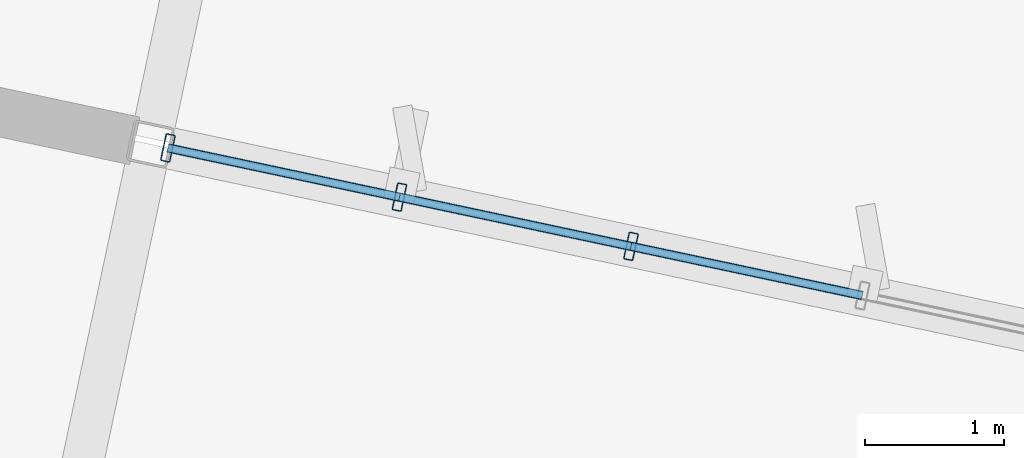
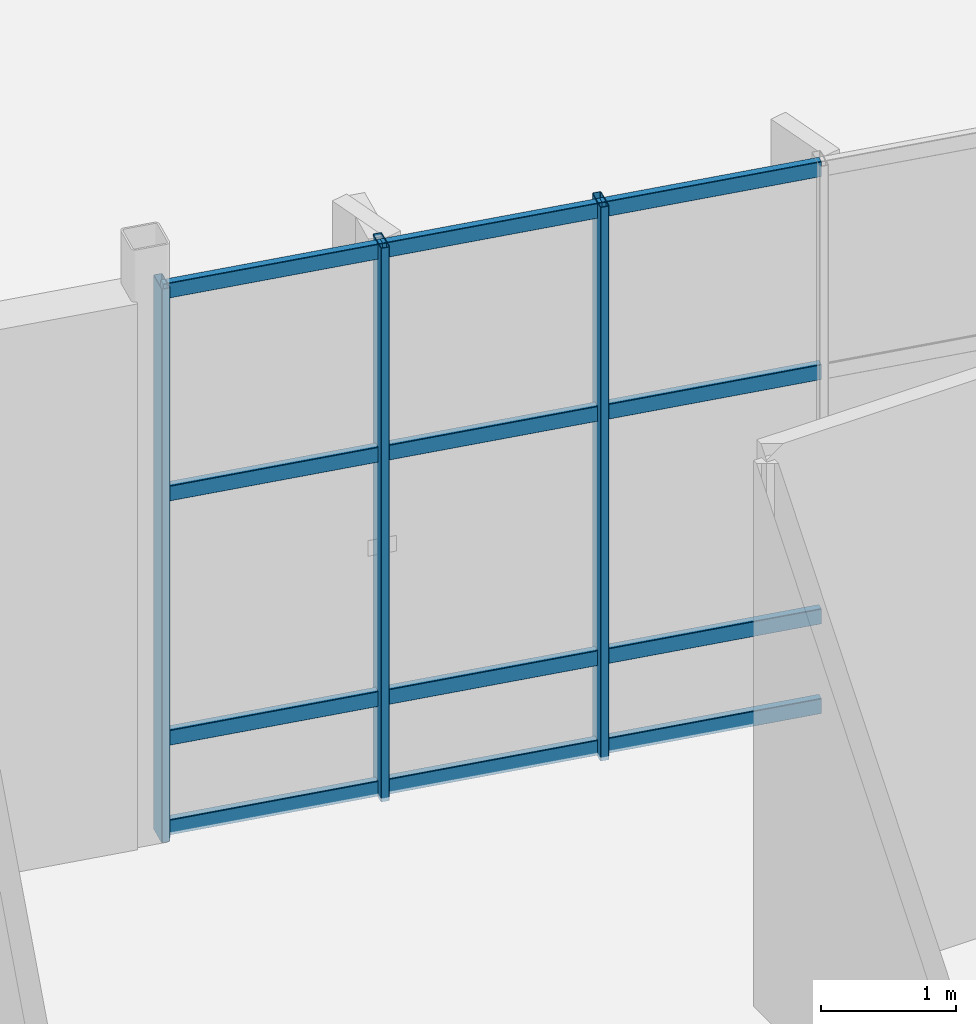
# One storey, part 39 of 176: 15 members, 1 element without a shape of its own.
"""IFC4 building model written with IfcOpenShell, lengths in metres."""

from ifc_helpers import new_model, si_unit, direction, frame, origin, origin_2d, place, context, subcontext, project, spatial, hollow_rectangle, extrude, material, layer, layer_set, material_profile, profile_set, type_object, element, aggregate, save


model = new_model("IFC4")

# Units and contexts
model_context = context("Model", 3, precision=1e-05, world=origin(), true_north=direction((0.0, 1.0)))
body_context = subcontext(model_context, "Body", "Model", "MODEL_VIEW")
ifc_project = project(units=[si_unit("LENGTHUNIT", "METRE"), si_unit("AREAUNIT", "SQUARE_METRE"), si_unit("VOLUMEUNIT", "CUBIC_METRE"), si_unit("PLANEANGLEUNIT", "RADIAN"), si_unit("MASSUNIT", "GRAM", prefix="KILO")], contexts=[model_context])

# Site, building, storey
site_placement = place(None, origin())
site = spatial("IfcSite", under=ifc_project, at=site_placement, CompositionType="ELEMENT")
building_placement = place(site_placement, origin())
building = spatial("IfcBuilding", under=site, at=building_placement, Name="Khorjan Park Terminus", CompositionType="ELEMENT")
storey_placement = place(building_placement, frame((0.0, 0.0, 6.0)))
storey = spatial("IfcBuildingStorey", under=building, at=storey_placement, Name="L01", CompositionType="ELEMENT", Elevation=6.0)

# Curtain wall, members
ifc_material = material(Name="Anodized Bronze Aluminium", Category="aluminium")
ifc_layer = layer(ifc_material, 0.22)
ifc_layer_set = layer_set([ifc_layer], Name="Anodized Bronze Aluminium")
curtain_wall_type = type_object("IfcCurtainWallType", Name="CW-PAV-C", PredefinedType="NOTDEFINED", material=ifc_layer_set)
curtain_wall_placement = place(storey_placement, origin())
curtain_wall = element("IfcCurtainWall", 1, at=curtain_wall_placement, inside=storey, type_object=curtain_wall_type, Name="Unitized curtain wall CW-C (CW-V4-N-L01-B01)", PredefinedType="NOTDEFINED")
ifc_material_profile_1 = material_profile(ifc_material, hollow_rectangle(XDim=0.07, YDim=0.2, WallThickness=0.005, InnerFilletRadius=0.005, OuterFilletRadius=0.01, at=origin_2d()), Name="ALM 70x200x5")
ifc_profile_set_1 = profile_set([ifc_material_profile_1], Name="Anodized Bronze Aluminium")
member_type_1 = type_object("IfcMemberType", Name="ML-ALM-200", PredefinedType="MULLION", material=ifc_profile_set_1)
member_1_placement = place(storey_placement, frame((24.868, 69.176, -0.035), z_axis=(0.0, 0.0, 1.0), x_axis=(-0.978149890677, 0.207900917192, 0.0)))
member_1 = element("IfcMember", 2, at=member_1_placement, type_object=member_type_1, Name="Curtain-wall mullion ML-20 (CW-V4-N-L01-B01-4)", PredefinedType="MULLION", context=body_context, shape_type="SweptSolid", body=[
    extrude(hollow_rectangle(XDim=0.07, YDim=0.2, WallThickness=0.005, InnerFilletRadius=0.005, OuterFilletRadius=0.01, at=origin_2d()), origin(), (0.0, 0.0, 1.0), 5.0),
])
member_2_placement = place(storey_placement, frame((23.1985, 69.5309, -0.035), z_axis=(0.0, 0.0, 1.0), x_axis=(-0.978149890677, 0.207900917192, 0.0)))
member_2 = element("IfcMember", 3, at=member_2_placement, type_object=member_type_1, Name="Curtain-wall mullion ML-20 (CW-V4-N-L01-B01-5)", PredefinedType="MULLION", context=body_context, shape_type="SweptSolid", body=[
    extrude(hollow_rectangle(XDim=0.07, YDim=0.2, WallThickness=0.005, InnerFilletRadius=0.005, OuterFilletRadius=0.01, at=origin_2d()), origin(), (0.0, 0.0, 1.0), 5.0),
])
member_3_placement = place(storey_placement, frame((21.5291, 69.8857, -0.035), z_axis=(0.0, 0.0, 1.0), x_axis=(-0.978149890677, 0.207900917192, 0.0)))
member_3 = element("IfcMember", 4, at=member_3_placement, type_object=member_type_1, Name="Curtain-wall mullion ML-20 (CW-V4-N-L01-B01-6)", PredefinedType="MULLION", context=body_context, shape_type="SweptSolid", body=[
    extrude(hollow_rectangle(XDim=0.07, YDim=0.2, WallThickness=0.005, InnerFilletRadius=0.005, OuterFilletRadius=0.01, at=origin_2d()), origin(), (0.0, 0.0, 1.0), 5.0),
])
ifc_material_profile_2 = material_profile(ifc_material, hollow_rectangle(XDim=0.065, YDim=0.14, WallThickness=0.004, InnerFilletRadius=0.004, OuterFilletRadius=0.008, at=origin_2d()), Name="ALT 65x140x4")
ifc_profile_set_2 = profile_set([ifc_material_profile_2], Name="Anodized Bronze Aluminium")
member_type_2 = type_object("IfcMemberType", Name="TR-ALT-140", PredefinedType="USERDEFINED", material=ifc_profile_set_2)
member_4_placement = place(storey_placement, frame((26.5374, 68.8212, 0.04), z_axis=(-0.97815259611, 0.207888188032, 0.0), x_axis=(-0.207888188032, -0.97815259611, 0.0)))
member_4 = element("IfcMember", 5, at=member_4_placement, type_object=member_type_2, Name="Curtain-wall transom TR-14 (CW-V4-N-L01-B01-3-1)", ObjectType="TRANSOM", PredefinedType="USERDEFINED", context=body_context, shape_type="SweptSolid", body=[
    extrude(hollow_rectangle(XDim=0.065, YDim=0.14, WallThickness=0.004, InnerFilletRadius=0.004, OuterFilletRadius=0.008, at=origin_2d()), origin(), (0.0, 0.0, 1.0), 1.7067),
])
member_5_placement = place(storey_placement, frame((26.5374, 68.8212, 0.85), z_axis=(-0.97815259611, 0.207888188032, 0.0), x_axis=(-0.207888188032, -0.97815259611, 0.0)))
member_5 = element("IfcMember", 6, at=member_5_placement, type_object=member_type_2, Name="Curtain-wall transom TR-14 (CW-V4-N-L01-B01-3-2)", ObjectType="TRANSOM", PredefinedType="USERDEFINED", context=body_context, shape_type="SweptSolid", body=[
    extrude(hollow_rectangle(XDim=0.065, YDim=0.14, WallThickness=0.004, InnerFilletRadius=0.004, OuterFilletRadius=0.008, at=origin_2d()), origin(), (0.0, 0.0, 1.0), 1.7067),
])
member_6_placement = place(storey_placement, frame((26.5374, 68.8212, 3.0566), z_axis=(-0.97815259611, 0.207888188032, 0.0), x_axis=(-0.207888188032, -0.97815259611, 0.0)))
member_6 = element("IfcMember", 7, at=member_6_placement, type_object=member_type_2, Name="Curtain-wall transom TR-14 (CW-V4-N-L01-B01-3-3)", ObjectType="TRANSOM", PredefinedType="USERDEFINED", context=body_context, shape_type="SweptSolid", body=[
    extrude(hollow_rectangle(XDim=0.065, YDim=0.14, WallThickness=0.004, InnerFilletRadius=0.004, OuterFilletRadius=0.008, at=origin_2d()), origin(), (0.0, 0.0, 1.0), 1.7067),
])
member_7_placement = place(storey_placement, frame((26.5374, 68.8212, 4.89), z_axis=(-0.97815259611, 0.207888188032, 0.0), x_axis=(-0.207888188032, -0.97815259611, 0.0)))
member_7 = element("IfcMember", 8, at=member_7_placement, type_object=member_type_2, Name="Curtain-wall transom TR-14 (CW-V4-N-L01-B01-3-4)", ObjectType="TRANSOM", PredefinedType="USERDEFINED", context=body_context, shape_type="SweptSolid", body=[
    extrude(hollow_rectangle(XDim=0.065, YDim=0.14, WallThickness=0.004, InnerFilletRadius=0.004, OuterFilletRadius=0.008, at=origin_2d()), origin(), (0.0, 0.0, 1.0), 1.7067),
])
member_8_placement = place(storey_placement, frame((24.868, 69.176, 0.04), z_axis=(-0.978143213325, 0.207932330883, 0.0), x_axis=(-0.207932330883, -0.978143213325, 0.0)))
member_8 = element("IfcMember", 9, at=member_8_placement, type_object=member_type_2, Name="Curtain-wall transom TR-14 (CW-V4-N-L01-B01-4-1)", ObjectType="TRANSOM", PredefinedType="USERDEFINED", context=body_context, shape_type="SweptSolid", body=[
    extrude(hollow_rectangle(XDim=0.065, YDim=0.14, WallThickness=0.004, InnerFilletRadius=0.004, OuterFilletRadius=0.008, at=origin_2d()), origin(), (0.0, 0.0, 1.0), 1.7068),
])
member_9_placement = place(storey_placement, frame((24.868, 69.176, 0.85), z_axis=(-0.978143213325, 0.207932330883, 0.0), x_axis=(-0.207932330883, -0.978143213325, 0.0)))
member_9 = element("IfcMember", 10, at=member_9_placement, type_object=member_type_2, Name="Curtain-wall transom TR-14 (CW-V4-N-L01-B01-4-2)", ObjectType="TRANSOM", PredefinedType="USERDEFINED", context=body_context, shape_type="SweptSolid", body=[
    extrude(hollow_rectangle(XDim=0.065, YDim=0.14, WallThickness=0.004, InnerFilletRadius=0.004, OuterFilletRadius=0.008, at=origin_2d()), origin(), (0.0, 0.0, 1.0), 1.7068),
])
member_10_placement = place(storey_placement, frame((24.868, 69.176, 3.0566), z_axis=(-0.978143213325, 0.207932330883, 0.0), x_axis=(-0.207932330883, -0.978143213325, 0.0)))
member_10 = element("IfcMember", 11, at=member_10_placement, type_object=member_type_2, Name="Curtain-wall transom TR-14 (CW-V4-N-L01-B01-4-3)", ObjectType="TRANSOM", PredefinedType="USERDEFINED", context=body_context, shape_type="SweptSolid", body=[
    extrude(hollow_rectangle(XDim=0.065, YDim=0.14, WallThickness=0.004, InnerFilletRadius=0.004, OuterFilletRadius=0.008, at=origin_2d()), origin(), (0.0, 0.0, 1.0), 1.7068),
])
member_11_placement = place(storey_placement, frame((24.868, 69.176, 4.89), z_axis=(-0.978143213325, 0.207932330883, 0.0), x_axis=(-0.207932330883, -0.978143213325, 0.0)))
member_11 = element("IfcMember", 12, at=member_11_placement, type_object=member_type_2, Name="Curtain-wall transom TR-14 (CW-V4-N-L01-B01-4-4)", ObjectType="TRANSOM", PredefinedType="USERDEFINED", context=body_context, shape_type="SweptSolid", body=[
    extrude(hollow_rectangle(XDim=0.065, YDim=0.14, WallThickness=0.004, InnerFilletRadius=0.004, OuterFilletRadius=0.008, at=origin_2d()), origin(), (0.0, 0.0, 1.0), 1.7068),
])
member_12_placement = place(storey_placement, frame((23.1985, 69.5309, 0.04), z_axis=(-0.97815259611, 0.207888188032, 0.0), x_axis=(-0.207888188032, -0.97815259611, 0.0)))
member_12 = element("IfcMember", 13, at=member_12_placement, type_object=member_type_2, Name="Curtain-wall transom TR-14 (CW-V4-N-L01-B01-5-1)", ObjectType="TRANSOM", PredefinedType="USERDEFINED", context=body_context, shape_type="SweptSolid", body=[
    extrude(hollow_rectangle(XDim=0.065, YDim=0.14, WallThickness=0.004, InnerFilletRadius=0.004, OuterFilletRadius=0.008, at=origin_2d()), origin(), (0.0, 0.0, 1.0), 1.7067),
])
member_13_placement = place(storey_placement, frame((23.1985, 69.5309, 0.85), z_axis=(-0.97815259611, 0.207888188032, 0.0), x_axis=(-0.207888188032, -0.97815259611, 0.0)))
member_13 = element("IfcMember", 14, at=member_13_placement, type_object=member_type_2, Name="Curtain-wall transom TR-14 (CW-V4-N-L01-B01-5-2)", ObjectType="TRANSOM", PredefinedType="USERDEFINED", context=body_context, shape_type="SweptSolid", body=[
    extrude(hollow_rectangle(XDim=0.065, YDim=0.14, WallThickness=0.004, InnerFilletRadius=0.004, OuterFilletRadius=0.008, at=origin_2d()), origin(), (0.0, 0.0, 1.0), 1.7067),
])
member_14_placement = place(storey_placement, frame((23.1985, 69.5309, 3.0566), z_axis=(-0.97815259611, 0.207888188032, 0.0), x_axis=(-0.207888188032, -0.97815259611, 0.0)))
member_14 = element("IfcMember", 15, at=member_14_placement, type_object=member_type_2, Name="Curtain-wall transom TR-14 (CW-V4-N-L01-B01-5-3)", ObjectType="TRANSOM", PredefinedType="USERDEFINED", context=body_context, shape_type="SweptSolid", body=[
    extrude(hollow_rectangle(XDim=0.065, YDim=0.14, WallThickness=0.004, InnerFilletRadius=0.004, OuterFilletRadius=0.008, at=origin_2d()), origin(), (0.0, 0.0, 1.0), 1.7067),
])
member_15_placement = place(storey_placement, frame((23.1985, 69.5309, 4.89), z_axis=(-0.97815259611, 0.207888188032, 0.0), x_axis=(-0.207888188032, -0.97815259611, 0.0)))
member_15 = element("IfcMember", 16, at=member_15_placement, type_object=member_type_2, Name="Curtain-wall transom TR-14 (CW-V4-N-L01-B01-5-4)", ObjectType="TRANSOM", PredefinedType="USERDEFINED", context=body_context, shape_type="SweptSolid", body=[
    extrude(hollow_rectangle(XDim=0.065, YDim=0.14, WallThickness=0.004, InnerFilletRadius=0.004, OuterFilletRadius=0.008, at=origin_2d()), origin(), (0.0, 0.0, 1.0), 1.7067),
])
aggregate(curtain_wall, [member_1, member_2, member_3, member_4, member_5, member_6, member_7, member_8, member_9, member_10, member_11, member_12, member_13, member_14, member_15])

save(model, "model.ifc")
